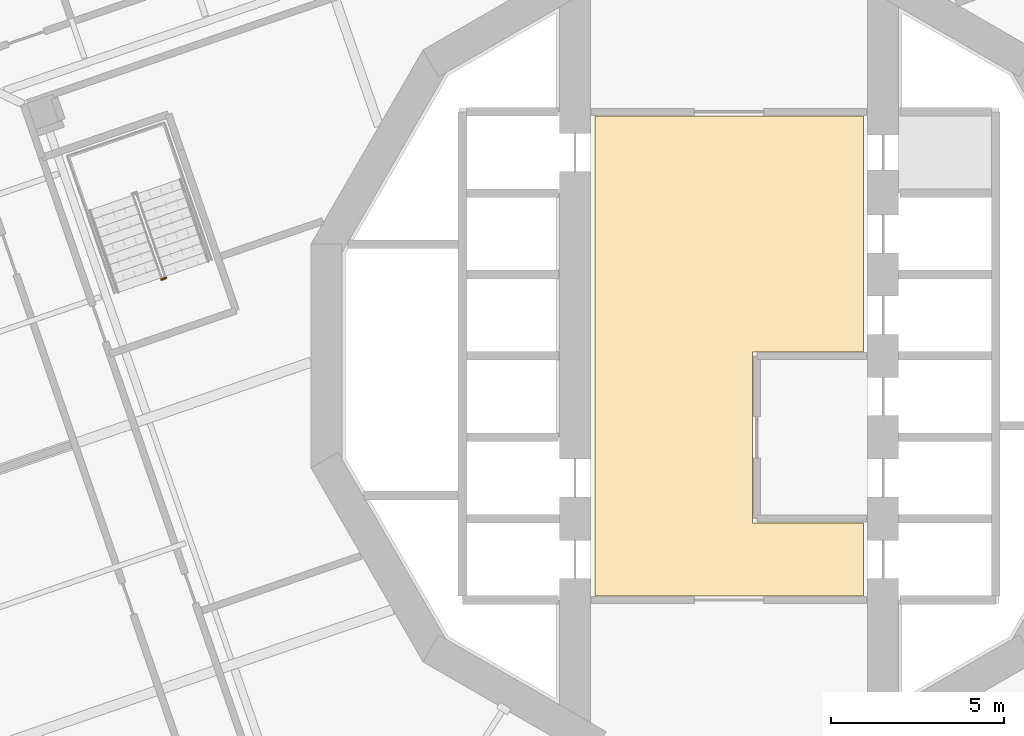
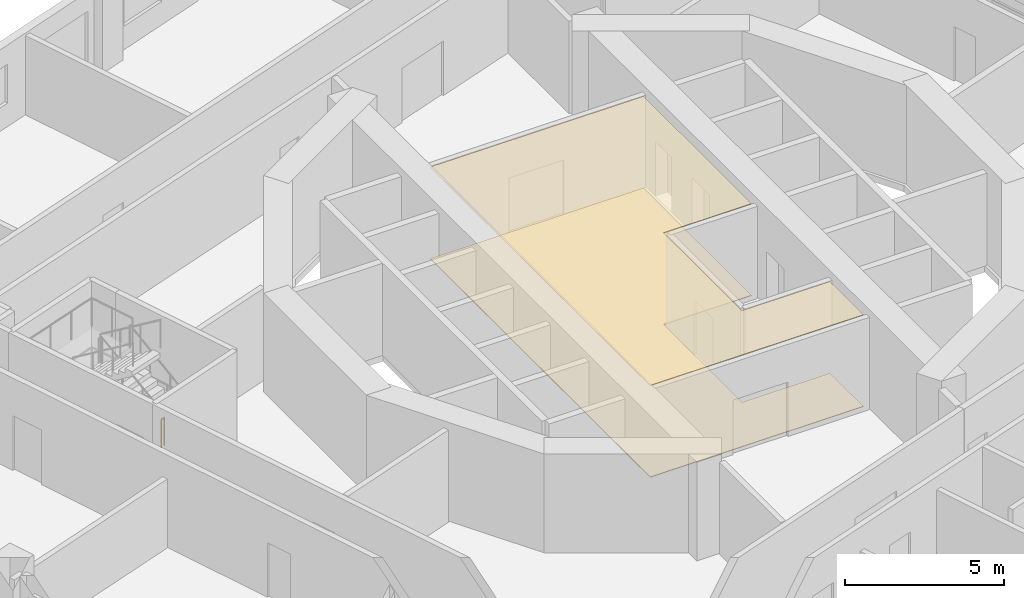
# One storey, part 15 of 19: 2 coverings, 1 railing.
"""IFC4 building model written with IfcOpenShell, lengths in metres."""

from ifc_helpers import new_model, si_unit, direction, frame, origin, origin_2d, place, context, subcontext, project, spatial, polyline, circle, outline, extrude, material, layer, layer_set, type_object, element, save


model = new_model("IFC4")

# Units and contexts
model_context = context("Model", 3, precision=1e-05, world=origin(), true_north=direction((0.0, 1.0)))
body_context = subcontext(model_context, "Body", "Model", "MODEL_VIEW")
ifc_project = project(units=[si_unit("LENGTHUNIT", "METRE"), si_unit("AREAUNIT", "SQUARE_METRE"), si_unit("VOLUMEUNIT", "CUBIC_METRE"), si_unit("PLANEANGLEUNIT", "RADIAN"), si_unit("MASSUNIT", "GRAM", prefix="KILO")], contexts=[model_context])

# Site, building, storey
site_placement = place(None, origin())
site = spatial("IfcSite", under=ifc_project, at=site_placement, CompositionType="ELEMENT")
building_placement = place(site_placement, origin())
building = spatial("IfcBuilding", under=site, at=building_placement, Name="Cantera Rosa Tower", CompositionType="ELEMENT")
storey_placement = place(building_placement, frame((0.0, 0.0, 126.89990234375)))
storey = spatial("IfcBuildingStorey", under=building, at=storey_placement, Name="L26", CompositionType="ELEMENT", Elevation=126.89990234375)

# Railing
ifc_material_1 = material(Name="Steel S355J2 (EN 10025-2)", Category="steel")
railing_type = type_object("IfcRailingType", Name="STAIR GUARD 1100", PredefinedType="GUARDRAIL", material=ifc_material_1)
railing_placement = place(storey_placement, frame((-16.257080078125, 2.25341796875, 0.0)))
element("IfcRailing", 1, at=railing_placement, inside=storey, type_object=railing_type, Name="L26 ST-22 stair guard 3", PredefinedType="GUARDRAIL", context=body_context, shape_type="SweptSolid", body=[
    extrude(circle(Radius=0.02392578125, at=origin_2d()), frame((0.0, 0.0, 1.076171875), z_axis=(-0.945545797087, -0.325489086777, 0.0), x_axis=(0.325489086777, -0.945545797087, 0.0)), (0.0, 0.0, 1.0), 0.14990234375),
    extrude(circle(Radius=0.02099609375, at=origin_2d()), origin(), (0.0, 0.0, 1.0), 1.052001953125),
    extrude(circle(Radius=0.02099609375, at=origin_2d()), frame((-0.141845703125, -0.048828125, 0.0)), (0.0, 0.0, 1.0), 1.052001953125),
])

# Coverings
ifc_material_2 = material(Name="Limestone paving", Category="masonry")
ifc_layer_1 = layer(ifc_material_2, 0.02490234375)
ifc_layer_set_1 = layer_set([ifc_layer_1], Name="STONE FLOOR FINISH 25")
covering_type_1 = type_object("IfcCoveringType", Name="STONE FLOOR FINISH 25", PredefinedType="FLOORING", material=ifc_layer_set_1)
covering_1_placement = place(storey_placement, origin())
element("IfcCovering", 2, at=covering_1_placement, inside=storey, type_object=covering_type_1, Name="STONE FLOOR FINISH L26", PredefinedType="FLOORING", context=body_context, shape_type="SweptSolid", body=[
    extrude(outline(polyline([(3.8798828125, 6.929931640625), (3.8798828125, 0.1201171875), (0.679931640625, 0.1201171875), (0.679931640625, -4.820068359375), (3.8798828125, -4.820068359375), (3.8798828125, -6.929931640625), (-3.8798828125, -6.929931640625), (-3.8798828125, 6.929931640625), (3.8798828125, 6.929931640625)])), origin(), (0.0, 0.0, 1.0), 0.025146484375),
])
ifc_material_3 = material(Name="Gypsum ceiling tile")
ifc_layer_2 = layer(ifc_material_3, 0.030029296875)
ifc_layer_set_2 = layer_set([ifc_layer_2], Name="SUSPENDED CEILING 30")
covering_type_2 = type_object("IfcCoveringType", Name="SUSPENDED CEILING 30", PredefinedType="CEILING", material=ifc_layer_set_2)
covering_2_placement = place(storey_placement, frame((0.0, 0.0, 3.52001953125)))
element("IfcCovering", 3, at=covering_2_placement, inside=storey, type_object=covering_type_2, Name="SUSPENDED CEILING L26", PredefinedType="CEILING", context=body_context, shape_type="SweptSolid", body=[
    extrude(outline(polyline([(3.8798828125, 6.929931640625), (3.8798828125, 0.1201171875), (0.679931640625, 0.1201171875), (0.679931640625, -4.820068359375), (3.8798828125, -4.820068359375), (3.8798828125, -6.929931640625), (-3.8798828125, -6.929931640625), (-3.8798828125, 6.929931640625), (3.8798828125, 6.929931640625)])), origin(), (0.0, 0.0, 1.0), 0.030029296875),
])

save(model, "model.ifc")
